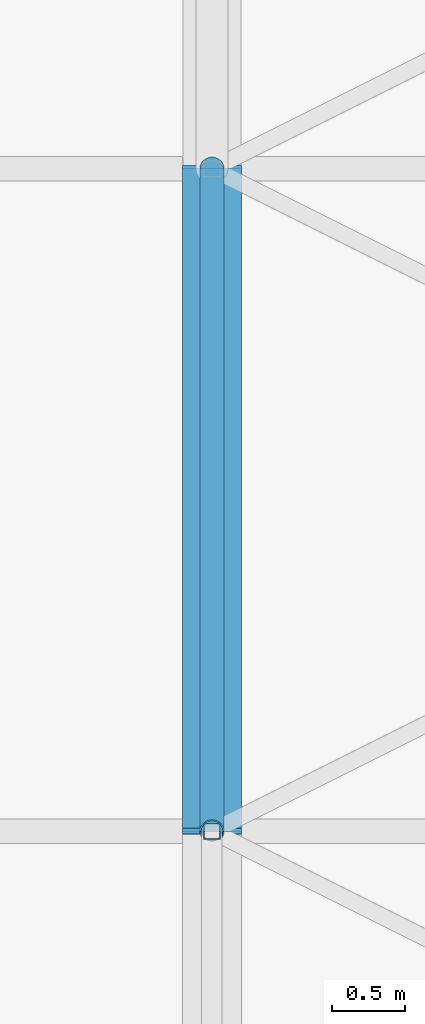
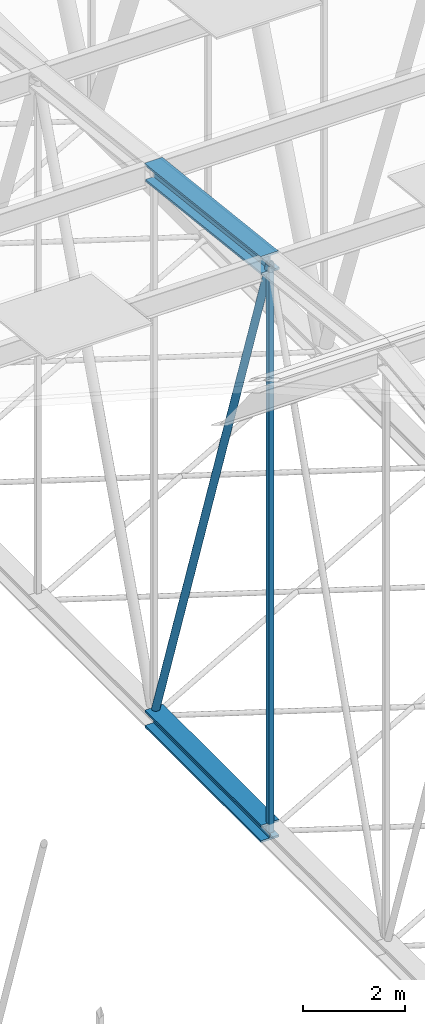
# One storey, part 200 of 500: 4 members.
"""IFC4 building model written with IfcOpenShell, lengths in metres."""

from ifc_helpers import new_model, si_unit, direction, frame, origin, origin_2d, place, context, subcontext, project, spatial, hollow_rectangle, hollow_circle, i_section, extrude, material, material_profile, profile_set, type_object, element, save


model = new_model("IFC4")

# Units and contexts
model_context = context("Model", 3, precision=1e-05, world=origin(), true_north=direction((0.0, 1.0)))
body_context = subcontext(model_context, "Body", "Model", "MODEL_VIEW")
ifc_project = project(units=[si_unit("LENGTHUNIT", "METRE"), si_unit("AREAUNIT", "SQUARE_METRE"), si_unit("VOLUMEUNIT", "CUBIC_METRE"), si_unit("PLANEANGLEUNIT", "RADIAN"), si_unit("MASSUNIT", "GRAM", prefix="KILO")], contexts=[model_context])

# Site, building, storey
site_placement = place(None, origin())
site = spatial("IfcSite", under=ifc_project, at=site_placement, CompositionType="ELEMENT")
building_placement = place(site_placement, origin())
building = spatial("IfcBuilding", under=site, at=building_placement, Name="Shirokan Park Arena", CompositionType="ELEMENT")
storey_placement = place(building_placement, frame((0.0, 0.0, 29.1201171875)))
storey = spatial("IfcBuildingStorey", under=building, at=storey_placement, Name="L06", CompositionType="ELEMENT", Elevation=29.1201171875)

# Members
ifc_material_1 = material(Name="Steel ASTM A992", Category="steel")
ifc_material_profile_1 = material_profile(ifc_material_1, i_section(OverallWidth=0.406005859375, OverallDepth=0.4169921875, WebThickness=0.030029296875, FlangeThickness=0.048095703125, at=origin_2d()), Name="W360X382")
ifc_profile_set_1 = profile_set([ifc_material_profile_1], Name="Steel ASTM A992")
member_type_1 = type_object("IfcMemberType", Name="Bottom chord W360X382", PredefinedType="CHORD", material=ifc_profile_set_1)
member_1_placement = place(storey_placement, frame((45.5, 59.14990234375, 4.677001953125), z_axis=(0.0, 1.0, 0.0), x_axis=(-1.0, 0.0, 0.0)))
element("IfcMember", 1, at=member_1_placement, inside=storey, type_object=member_type_1, Name="Truss T06 bottom chord 16", PredefinedType="CHORD", context=body_context, shape_type="SweptSolid", body=[
    extrude(i_section(OverallWidth=0.406005859375, OverallDepth=0.4169921875, WebThickness=0.030029296875, FlangeThickness=0.048095703125, at=origin_2d()), origin(), (0.0, 0.0, 1.0), 4.550048828125),
])
ifc_material_profile_2 = material_profile(ifc_material_1, i_section(OverallWidth=0.406005859375, OverallDepth=0.4169921875, WebThickness=0.030029296875, FlangeThickness=0.048095703125, at=origin_2d()), Name="W360X382")
ifc_profile_set_2 = profile_set([ifc_material_profile_2], Name="Steel ASTM A992")
member_type_2 = type_object("IfcMemberType", Name="Top chord W360X382", PredefinedType="CHORD", material=ifc_profile_set_2)
member_2_placement = place(storey_placement, frame((45.5, 59.14990234375, 18.261474609375), z_axis=(0.0, 0.993532328996, -0.113549598152), x_axis=(-1.0, 0.0, 0.0)))
element("IfcMember", 2, at=member_2_placement, inside=storey, type_object=member_type_2, Name="Truss T06 top chord 16", PredefinedType="CHORD", context=body_context, shape_type="SweptSolid", body=[
    extrude(i_section(OverallWidth=0.406005859375, OverallDepth=0.4169921875, WebThickness=0.030029296875, FlangeThickness=0.048095703125, at=origin_2d()), origin(), (0.0, 0.0, 1.0), 4.57958984375),
])
ifc_material_2 = material(Name="Steel ASTM A500 Grade C", Category="steel")
ifc_material_profile_3 = material_profile(ifc_material_2, hollow_circle(Radius=0.083984375, WallThickness=0.009521484375, at=origin_2d()), Name="HSS168.3X9.5")
ifc_profile_set_3 = profile_set([ifc_material_profile_3], Name="Steel ASTM A500 Grade C")
member_type_3 = type_object("IfcMemberType", Name="Truss diagonal HSS168.3X9.5", PredefinedType="BRACE", material=ifc_profile_set_3)
member_3_placement = place(storey_placement, frame((45.5, 59.14990234375, 18.261474609375), z_axis=(0.0, 0.317602683872, -0.948223884532), x_axis=(-1.0, 0.0, 0.0)))
element("IfcMember", 3, at=member_3_placement, inside=storey, type_object=member_type_3, Name="Truss T06 diagonal 16", PredefinedType="BRACE", context=body_context, shape_type="SweptSolid", body=[
    extrude(hollow_circle(Radius=0.083984375, WallThickness=0.009521484375, at=origin_2d()), origin(), (0.0, 0.0, 1.0), 14.326171875),
])
ifc_material_profile_4 = material_profile(ifc_material_2, hollow_rectangle(XDim=0.114013671875, YDim=0.114013671875, WallThickness=0.00634765625, at=origin_2d()), Name="HSS114.3X114.3X6.4")
ifc_profile_set_4 = profile_set([ifc_material_profile_4], Name="Steel ASTM A500 Grade C")
member_type_4 = type_object("IfcMemberType", Name="Truss post HSS114.3X114.3X6.4", PredefinedType="POST", material=ifc_profile_set_4)
member_4_placement = place(storey_placement, frame((45.5, 59.14990234375, 4.677001953125), z_axis=(0.0, 0.0, 1.0), x_axis=(1.0, 0.0, 0.0)))
element("IfcMember", 4, at=member_4_placement, inside=storey, type_object=member_type_4, Name="Truss T06 post 16", PredefinedType="POST", context=body_context, shape_type="SweptSolid", body=[
    extrude(hollow_rectangle(XDim=0.114013671875, YDim=0.114013671875, WallThickness=0.00634765625, at=origin_2d()), origin(), (0.0, 0.0, 1.0), 13.58447265625),
])

save(model, "model.ifc")
